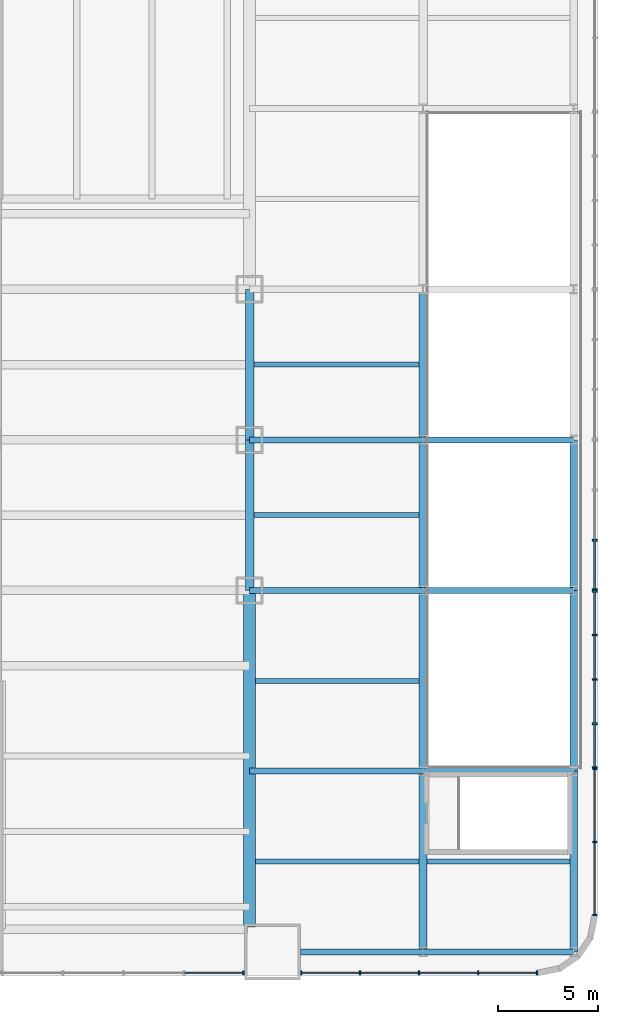
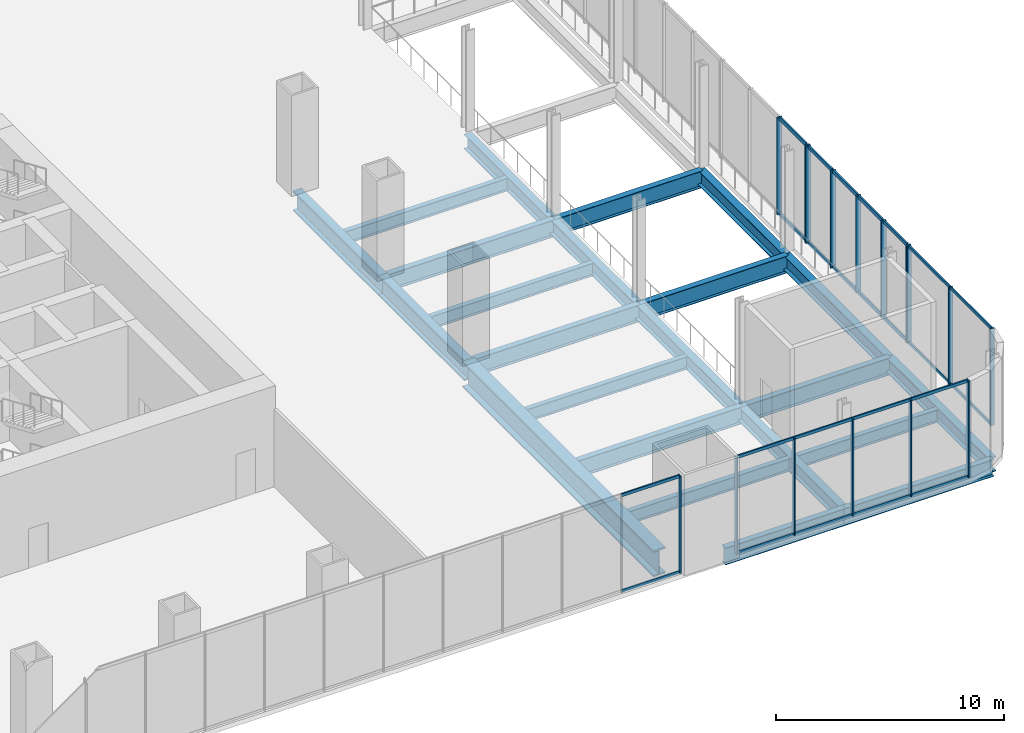
# One storey, part 9 of 17: 40 members, 23 beams, 5 elements without a shape of their own.
"""IFC4 building model written with IfcOpenShell, lengths in metres."""

from ifc_helpers import new_model, si_unit, direction, frame, origin, origin_2d, place, context, subcontext, project, spatial, rectangle, i_section, extrude, material, material_profile, profile_set, type_object, element, aggregate, save


model = new_model("IFC4")

# Units and contexts
model_context = context("Model", 3, precision=1e-05, world=origin(), true_north=direction((0.0, 1.0)))
body_context = subcontext(model_context, "Body", "Model", "MODEL_VIEW")
ifc_project = project(units=[si_unit("LENGTHUNIT", "METRE"), si_unit("AREAUNIT", "SQUARE_METRE"), si_unit("VOLUMEUNIT", "CUBIC_METRE"), si_unit("PLANEANGLEUNIT", "RADIAN"), si_unit("MASSUNIT", "GRAM", prefix="KILO")], contexts=[model_context])

# Site, building, storey
site_placement = place(None, origin())
site = spatial("IfcSite", under=ifc_project, at=site_placement, CompositionType="ELEMENT")
building_placement = place(site_placement, origin())
building = spatial("IfcBuilding", under=site, at=building_placement, Name="Tarangal Relay Tower", CompositionType="ELEMENT")
storey_placement = place(building_placement, frame((0.0, 0.0, 18.0)))
storey = spatial("IfcBuildingStorey", under=building, at=storey_placement, Name="L03", CompositionType="ELEMENT", Elevation=18.0)

# Beams
ifc_material_1 = material(Name="Steel ASTM A992", Category="steel")
ifc_material_profile_1 = material_profile(ifc_material_1, i_section(OverallWidth=0.42431640625, OverallDepth=1.09228515625, WebThickness=0.04541015625, FlangeThickness=0.08203125, at=origin_2d()), Name="W40X593")
ifc_profile_set_1 = profile_set([ifc_material_profile_1], Name="Steel ASTM A992")
beam_type_1 = type_object("IfcBeamType", Name="Edge girder W40X593", PredefinedType="SPANDREL", material=ifc_profile_set_1)
for number, where, z_axis, x_axis, name in (
    (1, (24.364990234375, 7.5, -0.796142578125), (0.0, -1.0, 0.0), (1.0, 0.0, 0.0), "Edge girder EG9 E L03"),
    (2, (24.364990234375, 0.0, -0.796142578125), (0.0, -1.0, 0.0), (1.0, 0.0, 0.0), "Edge girder EG9 E L03"),
):
    element("IfcBeam", number, at=place(storey_placement, frame(where, z_axis=z_axis, x_axis=x_axis)), inside=storey, type_object=beam_type_1, Name=name, PredefinedType="SPANDREL", context=body_context, shape_type="SweptSolid", body=[
        extrude(i_section(OverallWidth=0.42431640625, OverallDepth=1.09228515625, WebThickness=0.04541015625, FlangeThickness=0.08203125, at=origin_2d()), origin(), (0.0, 0.0, 1.0), 7.5),
    ])

# Curtain wall, member
ifc_material_2 = material(Name="Unitised curtain wall, dark glass and black aluminium", Category="aluminium")
curtain_wall_type_1 = type_object("IfcCurtainWallType", Name="Curtain wall CW-P", PredefinedType="USERDEFINED", material=ifc_material_2)
curtain_wall_1_placement = place(storey_placement, origin())
curtain_wall_1 = element("IfcCurtainWall", 3, at=curtain_wall_1_placement, inside=storey, type_object=curtain_wall_type_1, Name="Curtain wall CW-P Podium S facade L03", ObjectType="UNITISED CURTAIN WALL", PredefinedType="USERDEFINED")
ifc_material_3 = material(Name="Black anodised aluminium mullion", Category="aluminium")
ifc_material_profile_2 = material_profile(ifc_material_3, rectangle(XDim=0.199951171875, YDim=0.070068359375, at=origin_2d()), Name="CW-PM 70X200")
ifc_profile_set_2 = profile_set([ifc_material_profile_2], Name="Black anodised aluminium mullion")
member_type_1 = type_object("IfcMemberType", Name="Mullion CW-P 70 x 200", PredefinedType="MULLION", material=ifc_profile_set_2)
member_1_placement = place(storey_placement, frame((24.06494140625, -26.550048828125, 0.0), z_axis=(0.0, 0.0, 1.0), x_axis=(0.0, 1.0, 0.0)))
member_1 = element("IfcMember", 4, at=member_1_placement, type_object=member_type_1, Name="CW-P mullion 17", PredefinedType="MULLION", context=body_context, shape_type="SweptSolid", body=[
    extrude(rectangle(XDim=0.199951171875, YDim=0.070068359375, at=origin_2d()), origin(), (0.0, 0.0, 1.0), 5.199951171875),
])

# Curtain wall, members
curtain_wall_2_placement = place(storey_placement, origin())
curtain_wall_2 = element("IfcCurtainWall", 5, at=curtain_wall_2_placement, inside=storey, type_object=curtain_wall_type_1, Name="Curtain wall CW-P Podium S facade L03", ObjectType="UNITISED CURTAIN WALL", PredefinedType="USERDEFINED")
member_2_placement = place(storey_placement, frame((26.93505859375, -26.550048828125, 0.0), z_axis=(0.0, 0.0, 1.0), x_axis=(0.0, 1.0, 0.0)))
member_2 = element("IfcMember", 6, at=member_2_placement, type_object=member_type_1, Name="CW-P mullion 1", PredefinedType="MULLION", context=body_context, shape_type="SweptSolid", body=[
    extrude(rectangle(XDim=0.199951171875, YDim=0.070068359375, at=origin_2d()), origin(), (0.0, 0.0, 1.0), 5.199951171875),
])
member_3_placement = place(storey_placement, frame((29.85009765625, -26.550048828125, 0.0), z_axis=(0.0, 0.0, 1.0), x_axis=(0.0, 1.0, 0.0)))
member_3 = element("IfcMember", 7, at=member_3_placement, type_object=member_type_1, Name="CW-P mullion 2", PredefinedType="MULLION", context=body_context, shape_type="SweptSolid", body=[
    extrude(rectangle(XDim=0.199951171875, YDim=0.070068359375, at=origin_2d()), origin(), (0.0, 0.0, 1.0), 5.199951171875),
])
member_4_placement = place(storey_placement, frame((32.800048828125, -26.550048828125, 0.0), z_axis=(0.0, 0.0, 1.0), x_axis=(0.0, 1.0, 0.0)))
member_4 = element("IfcMember", 8, at=member_4_placement, type_object=member_type_1, Name="CW-P mullion 3", PredefinedType="MULLION", context=body_context, shape_type="SweptSolid", body=[
    extrude(rectangle(XDim=0.199951171875, YDim=0.070068359375, at=origin_2d()), origin(), (0.0, 0.0, 1.0), 5.199951171875),
])
member_5_placement = place(storey_placement, frame((35.75, -26.550048828125, 0.0), z_axis=(0.0, 0.0, 1.0), x_axis=(0.0, 1.0, 0.0)))
member_5 = element("IfcMember", 9, at=member_5_placement, type_object=member_type_1, Name="CW-P mullion 4", PredefinedType="MULLION", context=body_context, shape_type="SweptSolid", body=[
    extrude(rectangle(XDim=0.199951171875, YDim=0.070068359375, at=origin_2d()), origin(), (0.0, 0.0, 1.0), 5.199951171875),
])
member_6_placement = place(storey_placement, frame((38.6650390625, -26.550048828125, 0.0), z_axis=(0.0, 0.0, 1.0), x_axis=(0.0, 1.0, 0.0)))
member_6 = element("IfcMember", 10, at=member_6_placement, type_object=member_type_1, Name="CW-P mullion 5", PredefinedType="MULLION", context=body_context, shape_type="SweptSolid", body=[
    extrude(rectangle(XDim=0.199951171875, YDim=0.070068359375, at=origin_2d()), origin(), (0.0, 0.0, 1.0), 5.199951171875),
])

curtain_wall_3_placement = place(storey_placement, origin())
curtain_wall_3 = element("IfcCurtainWall", 11, at=curtain_wall_3_placement, inside=storey, type_object=curtain_wall_type_1, Name="Curtain wall CW-P Podium E facade L03", ObjectType="UNITISED CURTAIN WALL", PredefinedType="USERDEFINED")
member_7_placement = place(storey_placement, frame((41.550048828125, -23.6650390625, 0.0), z_axis=(0.0, 0.0, 1.0), x_axis=(-1.0, 0.0, 0.0)))
member_7 = element("IfcMember", 12, at=member_7_placement, type_object=member_type_1, Name="CW-P mullion 1", PredefinedType="MULLION", context=body_context, shape_type="SweptSolid", body=[
    extrude(rectangle(XDim=0.199951171875, YDim=0.070068359375, at=origin_2d()), origin(), (0.0, 0.0, 1.0), 5.199951171875),
])
member_8_placement = place(storey_placement, frame((41.550048828125, -20.02490234375, 0.0), z_axis=(0.0, 0.0, 1.0), x_axis=(-1.0, 0.0, 0.0)))
member_8 = element("IfcMember", 13, at=member_8_placement, type_object=member_type_1, Name="CW-P mullion 2", PredefinedType="MULLION", context=body_context, shape_type="SweptSolid", body=[
    extrude(rectangle(XDim=0.199951171875, YDim=0.070068359375, at=origin_2d()), origin(), (0.0, 0.0, 1.0), 5.199951171875),
])
member_9_placement = place(storey_placement, frame((41.550048828125, -16.385009765625, 0.0), z_axis=(0.0, 0.0, 1.0), x_axis=(-1.0, 0.0, 0.0)))
member_9 = element("IfcMember", 14, at=member_9_placement, type_object=member_type_1, Name="CW-P mullion 3", PredefinedType="MULLION", context=body_context, shape_type="SweptSolid", body=[
    extrude(rectangle(XDim=0.199951171875, YDim=0.070068359375, at=origin_2d()), origin(), (0.0, 0.0, 1.0), 5.199951171875),
])

curtain_wall_type_2 = type_object("IfcCurtainWallType", Name="Curtain wall CW-T", PredefinedType="USERDEFINED", material=ifc_material_2)
curtain_wall_4_placement = place(storey_placement, origin())
curtain_wall_4 = element("IfcCurtainWall", 15, at=curtain_wall_4_placement, inside=storey, type_object=curtain_wall_type_2, Name="Curtain wall CW-T Podium E facade L03", ObjectType="UNITISED CURTAIN WALL", PredefinedType="USERDEFINED")
ifc_material_profile_3 = material_profile(ifc_material_3, rectangle(XDim=0.25, YDim=0.080078125, at=origin_2d()), Name="CW-TM 80X250")
ifc_profile_set_3 = profile_set([ifc_material_profile_3], Name="Black anodised aluminium mullion")
member_type_2 = type_object("IfcMemberType", Name="Mullion CW-T 80 x 250", PredefinedType="MULLION", material=ifc_profile_set_3)
member_10_placement = place(storey_placement, frame((41.550048828125, -16.31005859375, 0.0), z_axis=(0.0, 0.0, 1.0), x_axis=(-1.0, 0.0, 0.0)))
member_10 = element("IfcMember", 16, at=member_10_placement, type_object=member_type_2, Name="CW-T mullion 1", PredefinedType="MULLION", context=body_context, shape_type="SweptSolid", body=[
    extrude(rectangle(XDim=0.25, YDim=0.080078125, at=origin_2d()), origin(), (0.0, 0.0, 1.0), 5.199951171875),
])
member_11_placement = place(storey_placement, frame((41.550048828125, -14.137451171875, 0.0), z_axis=(0.0, 0.0, 1.0), x_axis=(-1.0, 0.0, 0.0)))
member_11 = element("IfcMember", 17, at=member_11_placement, type_object=member_type_2, Name="CW-T mullion 2", PredefinedType="MULLION", context=body_context, shape_type="SweptSolid", body=[
    extrude(rectangle(XDim=0.25, YDim=0.080078125, at=origin_2d()), origin(), (0.0, 0.0, 1.0), 5.199951171875),
])
member_12_placement = place(storey_placement, frame((41.550048828125, -11.925048828125, 0.0), z_axis=(0.0, 0.0, 1.0), x_axis=(-1.0, 0.0, 0.0)))
member_12 = element("IfcMember", 18, at=member_12_placement, type_object=member_type_2, Name="CW-T mullion 3", PredefinedType="MULLION", context=body_context, shape_type="SweptSolid", body=[
    extrude(rectangle(XDim=0.25, YDim=0.080078125, at=origin_2d()), origin(), (0.0, 0.0, 1.0), 5.199951171875),
])
member_13_placement = place(storey_placement, frame((41.550048828125, -9.71240234375, 0.0), z_axis=(0.0, 0.0, 1.0), x_axis=(-1.0, 0.0, 0.0)))
member_13 = element("IfcMember", 19, at=member_13_placement, type_object=member_type_2, Name="CW-T mullion 4", PredefinedType="MULLION", context=body_context, shape_type="SweptSolid", body=[
    extrude(rectangle(XDim=0.25, YDim=0.080078125, at=origin_2d()), origin(), (0.0, 0.0, 1.0), 5.199951171875),
])
member_14_placement = place(storey_placement, frame((41.550048828125, -7.5400390625, 0.0), z_axis=(0.0, 0.0, 1.0), x_axis=(-1.0, 0.0, 0.0)))
member_14 = element("IfcMember", 20, at=member_14_placement, type_object=member_type_2, Name="CW-T mullion 5", PredefinedType="MULLION", context=body_context, shape_type="SweptSolid", body=[
    extrude(rectangle(XDim=0.25, YDim=0.080078125, at=origin_2d()), origin(), (0.0, 0.0, 1.0), 5.199951171875),
])

curtain_wall_5_placement = place(storey_placement, origin())
curtain_wall_5 = element("IfcCurtainWall", 21, at=curtain_wall_5_placement, inside=storey, type_object=curtain_wall_type_2, Name="Curtain wall CW-T Podium E facade L03", ObjectType="UNITISED CURTAIN WALL", PredefinedType="USERDEFINED")
member_15_placement = place(storey_placement, frame((41.550048828125, -7.4599609375, 0.0), z_axis=(0.0, 0.0, 1.0), x_axis=(-1.0, 0.0, 0.0)))
member_15 = element("IfcMember", 22, at=member_15_placement, type_object=member_type_2, Name="CW-T mullion 1", PredefinedType="MULLION", context=body_context, shape_type="SweptSolid", body=[
    extrude(rectangle(XDim=0.25, YDim=0.080078125, at=origin_2d()), origin(), (0.0, 0.0, 1.0), 5.199951171875),
])
member_16_placement = place(storey_placement, frame((41.550048828125, -5.0, 0.0), z_axis=(0.0, 0.0, 1.0), x_axis=(-1.0, 0.0, 0.0)))
member_16 = element("IfcMember", 23, at=member_16_placement, type_object=member_type_2, Name="CW-T mullion 2", PredefinedType="MULLION", context=body_context, shape_type="SweptSolid", body=[
    extrude(rectangle(XDim=0.25, YDim=0.080078125, at=origin_2d()), origin(), (0.0, 0.0, 1.0), 5.199951171875),
])

# Beams
ifc_material_profile_4 = material_profile(ifc_material_1, i_section(OverallWidth=0.3046875, OverallDepth=0.911865234375, WebThickness=0.015869140625, FlangeThickness=0.02392578125, at=origin_2d()), Name="W36X150")
ifc_profile_set_4 = profile_set([ifc_material_profile_4], Name="Steel ASTM A992")
beam_type_2 = type_object("IfcBeamType", Name="Podium beam W36X150", PredefinedType="BEAM", material=ifc_profile_set_4)
beam_1_placement = place(storey_placement, frame((26.89990234375, -25.5, -0.7060546875), z_axis=(1.0, 0.0, 0.0), x_axis=(0.0, 1.0, 0.0)))
element("IfcBeam", 24, at=beam_1_placement, inside=storey, type_object=beam_type_2, Name="Podium beam PB1 L03", PredefinedType="BEAM", context=body_context, shape_type="SweptSolid", body=[
    extrude(i_section(OverallWidth=0.3046875, OverallDepth=0.911865234375, WebThickness=0.015869140625, FlangeThickness=0.02392578125, at=origin_2d()), origin(), (0.0, 0.0, 1.0), 6.10009765625),
])
beam_2_placement = place(storey_placement, frame((33.0, -25.5, -0.7060546875), z_axis=(1.0, 0.0, 0.0), x_axis=(0.0, 1.0, 0.0)))
element("IfcBeam", 25, at=beam_2_placement, inside=storey, type_object=beam_type_2, Name="Podium beam PB1 L03", PredefinedType="BEAM", context=body_context, shape_type="SweptSolid", body=[
    extrude(i_section(OverallWidth=0.3046875, OverallDepth=0.911865234375, WebThickness=0.015869140625, FlangeThickness=0.02392578125, at=origin_2d()), origin(), (0.0, 0.0, 1.0), 7.5),
])
beam_3_placement = place(storey_placement, frame((24.364990234375, -16.5, -0.7060546875), z_axis=(1.0, 0.0, 0.0), x_axis=(0.0, 1.0, 0.0)))
element("IfcBeam", 26, at=beam_3_placement, inside=storey, type_object=beam_type_2, Name="Podium beam PB1 L03", PredefinedType="BEAM", context=body_context, shape_type="SweptSolid", body=[
    extrude(i_section(OverallWidth=0.3046875, OverallDepth=0.911865234375, WebThickness=0.015869140625, FlangeThickness=0.02392578125, at=origin_2d()), origin(), (0.0, 0.0, 1.0), 8.635009765625),
])
beam_4_placement = place(storey_placement, frame((33.0, -16.5, -0.7060546875), z_axis=(1.0, 0.0, 0.0), x_axis=(0.0, 1.0, 0.0)))
element("IfcBeam", 27, at=beam_4_placement, inside=storey, type_object=beam_type_2, Name="Podium beam PB1 L03", PredefinedType="BEAM", context=body_context, shape_type="SweptSolid", body=[
    extrude(i_section(OverallWidth=0.3046875, OverallDepth=0.911865234375, WebThickness=0.015869140625, FlangeThickness=0.02392578125, at=origin_2d()), origin(), (0.0, 0.0, 1.0), 7.5),
])
beam_5_placement = place(storey_placement, frame((24.364990234375, -7.5, -0.7060546875), z_axis=(1.0, 0.0, 0.0), x_axis=(0.0, 1.0, 0.0)))
element("IfcBeam", 28, at=beam_5_placement, inside=storey, type_object=beam_type_2, Name="Podium beam PB1 L03", PredefinedType="BEAM", context=body_context, shape_type="SweptSolid", body=[
    extrude(i_section(OverallWidth=0.3046875, OverallDepth=0.911865234375, WebThickness=0.015869140625, FlangeThickness=0.02392578125, at=origin_2d()), origin(), (0.0, 0.0, 1.0), 8.635009765625),
])
beam_6_placement = place(storey_placement, frame((33.0, -7.5, -0.7060546875), z_axis=(1.0, 0.0, 0.0), x_axis=(0.0, 1.0, 0.0)))
element("IfcBeam", 29, at=beam_6_placement, inside=storey, type_object=beam_type_2, Name="Podium beam PB1 L03", PredefinedType="BEAM", context=body_context, shape_type="SweptSolid", body=[
    extrude(i_section(OverallWidth=0.3046875, OverallDepth=0.911865234375, WebThickness=0.015869140625, FlangeThickness=0.02392578125, at=origin_2d()), origin(), (0.0, 0.0, 1.0), 7.5),
])
beam_7_placement = place(storey_placement, frame((24.364990234375, 0.0, -0.7060546875), z_axis=(1.0, 0.0, 0.0), x_axis=(0.0, 1.0, 0.0)))
element("IfcBeam", 30, at=beam_7_placement, inside=storey, type_object=beam_type_2, Name="Podium beam PB1 L03", PredefinedType="BEAM", context=body_context, shape_type="SweptSolid", body=[
    extrude(i_section(OverallWidth=0.3046875, OverallDepth=0.911865234375, WebThickness=0.015869140625, FlangeThickness=0.02392578125, at=origin_2d()), origin(), (0.0, 0.0, 1.0), 8.635009765625),
])
beam_8_placement = place(storey_placement, frame((33.0, 0.0, -0.7060546875), z_axis=(1.0, 0.0, 0.0), x_axis=(0.0, 1.0, 0.0)))
element("IfcBeam", 31, at=beam_8_placement, inside=storey, type_object=beam_type_2, Name="Podium beam PB1 L03", PredefinedType="BEAM", context=body_context, shape_type="SweptSolid", body=[
    extrude(i_section(OverallWidth=0.3046875, OverallDepth=0.911865234375, WebThickness=0.015869140625, FlangeThickness=0.02392578125, at=origin_2d()), origin(), (0.0, 0.0, 1.0), 7.5),
])
ifc_material_profile_5 = material_profile(ifc_material_1, i_section(OverallWidth=0.383544921875, OverallDepth=0.784912109375, WebThickness=0.019775390625, FlangeThickness=0.033447265625, at=origin_2d()), Name="W30X211")
ifc_profile_set_5 = profile_set([ifc_material_profile_5], Name="Steel ASTM A992")
beam_type_3 = type_object("IfcBeamType", Name="Podium girder W30X211", PredefinedType="BEAM", material=ifc_profile_set_5)
for number, where, z_axis, x_axis, name in (
    (32, (33.0, -25.5, -0.642578125), (0.0, 1.0, 0.0), (-1.0, 0.0, 0.0), "Podium girder PG1 L03"),
    (33, (33.0, -16.5, -0.642578125), (0.0, 1.0, 0.0), (-1.0, 0.0, 0.0), "Podium girder PG1 L03"),
):
    element("IfcBeam", number, at=place(storey_placement, frame(where, z_axis=z_axis, x_axis=x_axis)), inside=storey, type_object=beam_type_3, Name=name, PredefinedType="BEAM", context=body_context, shape_type="SweptSolid", body=[
        extrude(i_section(OverallWidth=0.383544921875, OverallDepth=0.784912109375, WebThickness=0.019775390625, FlangeThickness=0.033447265625, at=origin_2d()), origin(), (0.0, 0.0, 1.0), 9.0),
    ])
for number, where, z_axis, x_axis, name in (
    (34, (33.0, -7.5, -0.642578125), (0.0, 1.0, 0.0), (-1.0, 0.0, 0.0), "Podium girder PG1 L03"),
    (35, (33.0, 0.0, -0.642578125), (0.0, 1.0, 0.0), (-1.0, 0.0, 0.0), "Podium girder PG1 L03"),
):
    element("IfcBeam", number, at=place(storey_placement, frame(where, z_axis=z_axis, x_axis=x_axis)), inside=storey, type_object=beam_type_3, Name=name, PredefinedType="BEAM", context=body_context, shape_type="SweptSolid", body=[
        extrude(i_section(OverallWidth=0.383544921875, OverallDepth=0.784912109375, WebThickness=0.019775390625, FlangeThickness=0.033447265625, at=origin_2d()), origin(), (0.0, 0.0, 1.0), 7.5),
    ])
for number, where, z_axis, x_axis, name in (
    (36, (40.5, -25.5, -0.642578125), (0.0, 1.0, 0.0), (-1.0, 0.0, 0.0), "Podium girder PG1 L03"),
    (37, (40.5, -16.5, -0.642578125), (0.0, 1.0, 0.0), (-1.0, 0.0, 0.0), "Podium girder PG1 L03"),
):
    element("IfcBeam", number, at=place(storey_placement, frame(where, z_axis=z_axis, x_axis=x_axis)), inside=storey, type_object=beam_type_3, Name=name, PredefinedType="BEAM", context=body_context, shape_type="SweptSolid", body=[
        extrude(i_section(OverallWidth=0.383544921875, OverallDepth=0.784912109375, WebThickness=0.019775390625, FlangeThickness=0.033447265625, at=origin_2d()), origin(), (0.0, 0.0, 1.0), 9.0),
    ])
beam_9_placement = place(storey_placement, frame((40.5, -7.5, -0.642578125), z_axis=(0.0, 1.0, 0.0), x_axis=(-1.0, 0.0, 0.0)))
element("IfcBeam", 38, at=beam_9_placement, inside=storey, type_object=beam_type_3, Name="Podium girder PG1 L03", PredefinedType="BEAM", context=body_context, shape_type="SweptSolid", body=[
    extrude(i_section(OverallWidth=0.383544921875, OverallDepth=0.784912109375, WebThickness=0.019775390625, FlangeThickness=0.033447265625, at=origin_2d()), origin(), (0.0, 0.0, 1.0), 7.5),
])
ifc_material_profile_6 = material_profile(ifc_material_1, i_section(OverallWidth=0.25390625, OverallDepth=0.683349609375, WebThickness=0.012451171875, FlangeThickness=0.018798828125, at=origin_2d()), Name="W27X94")
ifc_profile_set_6 = profile_set([ifc_material_profile_6], Name="Steel ASTM A992")
beam_type_4 = type_object("IfcBeamType", Name="Podium joist W27X94", PredefinedType="JOIST", material=ifc_profile_set_6)
beam_10_placement = place(storey_placement, frame((24.6650390625, -21.0, -0.591796875), z_axis=(1.0, 0.0, 0.0), x_axis=(0.0, 1.0, 0.0)))
element("IfcBeam", 39, at=beam_10_placement, inside=storey, type_object=beam_type_4, Name="Podium joist PJ1 L03", PredefinedType="JOIST", context=body_context, shape_type="SweptSolid", body=[
    extrude(i_section(OverallWidth=0.25390625, OverallDepth=0.683349609375, WebThickness=0.012451171875, FlangeThickness=0.018798828125, at=origin_2d()), origin(), (0.0, 0.0, 1.0), 8.14404296875),
])
beam_11_placement = place(storey_placement, frame((33.19091796875, -21.0, -0.591796875), z_axis=(1.0, 0.0, 0.0), x_axis=(0.0, 1.0, 0.0)))
element("IfcBeam", 40, at=beam_11_placement, inside=storey, type_object=beam_type_4, Name="Podium joist PJ1 L03", PredefinedType="JOIST", context=body_context, shape_type="SweptSolid", body=[
    extrude(i_section(OverallWidth=0.25390625, OverallDepth=0.683349609375, WebThickness=0.012451171875, FlangeThickness=0.018798828125, at=origin_2d()), origin(), (0.0, 0.0, 1.0), 7.1181640625),
])
beam_12_placement = place(storey_placement, frame((24.6650390625, -12.0, -0.591796875), z_axis=(1.0, 0.0, 0.0), x_axis=(0.0, 1.0, 0.0)))
element("IfcBeam", 41, at=beam_12_placement, inside=storey, type_object=beam_type_4, Name="Podium joist PJ1 L03", PredefinedType="JOIST", context=body_context, shape_type="SweptSolid", body=[
    extrude(i_section(OverallWidth=0.25390625, OverallDepth=0.683349609375, WebThickness=0.012451171875, FlangeThickness=0.018798828125, at=origin_2d()), origin(), (0.0, 0.0, 1.0), 8.14404296875),
])
for number, where, z_axis, x_axis, name in (
    (42, (24.576904296875, -3.75, -0.591796875), (1.0, 0.0, 0.0), (0.0, 1.0, 0.0), "Podium joist PJ1 L03"),
    (43, (24.576904296875, 3.75, -0.591796875), (1.0, 0.0, 0.0), (0.0, 1.0, 0.0), "Podium joist PJ1 L03"),
):
    element("IfcBeam", number, at=place(storey_placement, frame(where, z_axis=z_axis, x_axis=x_axis)), inside=storey, type_object=beam_type_4, Name=name, PredefinedType="JOIST", context=body_context, shape_type="SweptSolid", body=[
        extrude(i_section(OverallWidth=0.25390625, OverallDepth=0.683349609375, WebThickness=0.012451171875, FlangeThickness=0.018798828125, at=origin_2d()), origin(), (0.0, 0.0, 1.0), 8.232177734375),
    ])
ifc_material_4 = material(Name="Steel ASTM A572 Grade 50", Category="steel")
ifc_material_profile_7 = material_profile(ifc_material_4, i_section(OverallWidth=0.60009765625, OverallDepth=1.39990234375, WebThickness=0.030029296875, FlangeThickness=0.080078125, at=origin_2d()), Name="PG1400X600X80X30")
ifc_profile_set_7 = profile_set([ifc_material_profile_7], Name="Steel ASTM A572 Grade 50")
beam_type_5 = type_object("IfcBeamType", Name="Transfer girder PG1400X600X80X30", PredefinedType="SPANDREL", material=ifc_profile_set_7)
beam_13_placement = place(storey_placement, frame((24.364990234375, -7.5, -0.949951171875), z_axis=(0.0, -1.0, 0.0), x_axis=(1.0, 0.0, 0.0)))
element("IfcBeam", 44, at=beam_13_placement, inside=storey, type_object=beam_type_5, Name="Transfer girder TG1 E L03", PredefinedType="SPANDREL", context=body_context, shape_type="SweptSolid", body=[
    extrude(i_section(OverallWidth=0.60009765625, OverallDepth=1.39990234375, WebThickness=0.030029296875, FlangeThickness=0.080078125, at=origin_2d()), origin(), (0.0, 0.0, 1.0), 16.75),
])

# Member
ifc_material_5 = material(Name="Black anodised aluminium transom", Category="aluminium")
ifc_material_profile_8 = material_profile(ifc_material_5, rectangle(XDim=0.070068359375, YDim=0.159912109375, at=origin_2d()), Name="CW-PT 70X160")
ifc_profile_set_8 = profile_set([ifc_material_profile_8], Name="Black anodised aluminium transom")
member_type_3 = type_object("IfcMemberType", Name="Transom CW-P 70 x 160", PredefinedType="USERDEFINED", material=ifc_profile_set_8)
member_17_placement = place(storey_placement, frame((21.12255859375, -26.550048828125, 0.034912109375), z_axis=(1.0, 0.0, 0.0), x_axis=(0.0, 1.0, 0.0)))
member_17 = element("IfcMember", 45, at=member_17_placement, type_object=member_type_3, Name="CW-P transom 16.1", ObjectType="TRANSOM", PredefinedType="USERDEFINED", context=body_context, shape_type="SweptSolid", body=[
    extrude(rectangle(XDim=0.070068359375, YDim=0.159912109375, at=origin_2d()), origin(), (0.0, 0.0, 1.0), 2.907470703125),
])

member_18_placement = place(storey_placement, frame((21.12255859375, -26.550048828125, 5.1650390625), z_axis=(1.0, 0.0, 0.0), x_axis=(0.0, 1.0, 0.0)))
member_18 = element("IfcMember", 46, at=member_18_placement, type_object=member_type_3, Name="CW-P transom 16.2", ObjectType="TRANSOM", PredefinedType="USERDEFINED", context=body_context, shape_type="SweptSolid", body=[
    extrude(rectangle(XDim=0.070068359375, YDim=0.159912109375, at=origin_2d()), origin(), (0.0, 0.0, 1.0), 2.907470703125),
])

aggregate(curtain_wall_1, [member_1, member_17, member_18])

member_19_placement = place(storey_placement, frame((26.969970703125, -26.550048828125, 0.034912109375), z_axis=(1.0, 0.0, 0.0), x_axis=(0.0, 1.0, 0.0)))
member_19 = element("IfcMember", 47, at=member_19_placement, type_object=member_type_3, Name="CW-P transom 1.1", ObjectType="TRANSOM", PredefinedType="USERDEFINED", context=body_context, shape_type="SweptSolid", body=[
    extrude(rectangle(XDim=0.070068359375, YDim=0.159912109375, at=origin_2d()), origin(), (0.0, 0.0, 1.0), 2.844970703125),
])

member_20_placement = place(storey_placement, frame((26.969970703125, -26.550048828125, 5.1650390625), z_axis=(1.0, 0.0, 0.0), x_axis=(0.0, 1.0, 0.0)))
member_20 = element("IfcMember", 48, at=member_20_placement, type_object=member_type_3, Name="CW-P transom 1.2", ObjectType="TRANSOM", PredefinedType="USERDEFINED", context=body_context, shape_type="SweptSolid", body=[
    extrude(rectangle(XDim=0.070068359375, YDim=0.159912109375, at=origin_2d()), origin(), (0.0, 0.0, 1.0), 2.844970703125),
])

member_21_placement = place(storey_placement, frame((29.885009765625, -26.550048828125, 0.034912109375), z_axis=(1.0, 0.0, 0.0), x_axis=(0.0, 1.0, 0.0)))
member_21 = element("IfcMember", 49, at=member_21_placement, type_object=member_type_3, Name="CW-P transom 2.1", ObjectType="TRANSOM", PredefinedType="USERDEFINED", context=body_context, shape_type="SweptSolid", body=[
    extrude(rectangle(XDim=0.070068359375, YDim=0.159912109375, at=origin_2d()), origin(), (0.0, 0.0, 1.0), 2.8798828125),
])

member_22_placement = place(storey_placement, frame((29.885009765625, -26.550048828125, 5.1650390625), z_axis=(1.0, 0.0, 0.0), x_axis=(0.0, 1.0, 0.0)))
member_22 = element("IfcMember", 50, at=member_22_placement, type_object=member_type_3, Name="CW-P transom 2.2", ObjectType="TRANSOM", PredefinedType="USERDEFINED", context=body_context, shape_type="SweptSolid", body=[
    extrude(rectangle(XDim=0.070068359375, YDim=0.159912109375, at=origin_2d()), origin(), (0.0, 0.0, 1.0), 2.8798828125),
])

member_23_placement = place(storey_placement, frame((32.8349609375, -26.550048828125, 0.034912109375), z_axis=(1.0, 0.0, 0.0), x_axis=(0.0, 1.0, 0.0)))
member_23 = element("IfcMember", 51, at=member_23_placement, type_object=member_type_3, Name="CW-P transom 3.1", ObjectType="TRANSOM", PredefinedType="USERDEFINED", context=body_context, shape_type="SweptSolid", body=[
    extrude(rectangle(XDim=0.070068359375, YDim=0.159912109375, at=origin_2d()), origin(), (0.0, 0.0, 1.0), 2.880126953125),
])

member_24_placement = place(storey_placement, frame((32.8349609375, -26.550048828125, 5.1650390625), z_axis=(1.0, 0.0, 0.0), x_axis=(0.0, 1.0, 0.0)))
member_24 = element("IfcMember", 52, at=member_24_placement, type_object=member_type_3, Name="CW-P transom 3.2", ObjectType="TRANSOM", PredefinedType="USERDEFINED", context=body_context, shape_type="SweptSolid", body=[
    extrude(rectangle(XDim=0.070068359375, YDim=0.159912109375, at=origin_2d()), origin(), (0.0, 0.0, 1.0), 2.880126953125),
])

member_25_placement = place(storey_placement, frame((35.784912109375, -26.550048828125, 0.034912109375), z_axis=(1.0, 0.0, 0.0), x_axis=(0.0, 1.0, 0.0)))
member_25 = element("IfcMember", 53, at=member_25_placement, type_object=member_type_3, Name="CW-P transom 4.1", ObjectType="TRANSOM", PredefinedType="USERDEFINED", context=body_context, shape_type="SweptSolid", body=[
    extrude(rectangle(XDim=0.070068359375, YDim=0.159912109375, at=origin_2d()), origin(), (0.0, 0.0, 1.0), 2.844970703125),
])

member_26_placement = place(storey_placement, frame((35.784912109375, -26.550048828125, 5.1650390625), z_axis=(1.0, 0.0, 0.0), x_axis=(0.0, 1.0, 0.0)))
member_26 = element("IfcMember", 54, at=member_26_placement, type_object=member_type_3, Name="CW-P transom 4.2", ObjectType="TRANSOM", PredefinedType="USERDEFINED", context=body_context, shape_type="SweptSolid", body=[
    extrude(rectangle(XDim=0.070068359375, YDim=0.159912109375, at=origin_2d()), origin(), (0.0, 0.0, 1.0), 2.844970703125),
])

aggregate(curtain_wall_2, [member_2, member_3, member_4, member_5, member_6, member_19, member_20, member_21, member_22, member_23, member_24, member_25, member_26])

member_27_placement = place(storey_placement, frame((41.550048828125, -23.6298828125, 0.034912109375), z_axis=(0.0, 1.0, 0.0), x_axis=(-1.0, 0.0, 0.0)))
member_27 = element("IfcMember", 55, at=member_27_placement, type_object=member_type_3, Name="CW-P transom 1.1", ObjectType="TRANSOM", PredefinedType="USERDEFINED", context=body_context, shape_type="SweptSolid", body=[
    extrude(rectangle(XDim=0.070068359375, YDim=0.159912109375, at=origin_2d()), origin(), (0.0, 0.0, 1.0), 3.56982421875),
])

member_28_placement = place(storey_placement, frame((41.550048828125, -23.6298828125, 5.1650390625), z_axis=(0.0, 1.0, 0.0), x_axis=(-1.0, 0.0, 0.0)))
member_28 = element("IfcMember", 56, at=member_28_placement, type_object=member_type_3, Name="CW-P transom 1.2", ObjectType="TRANSOM", PredefinedType="USERDEFINED", context=body_context, shape_type="SweptSolid", body=[
    extrude(rectangle(XDim=0.070068359375, YDim=0.159912109375, at=origin_2d()), origin(), (0.0, 0.0, 1.0), 3.56982421875),
])

member_29_placement = place(storey_placement, frame((41.550048828125, -19.989990234375, 0.034912109375), z_axis=(0.0, 1.0, 0.0), x_axis=(-1.0, 0.0, 0.0)))
member_29 = element("IfcMember", 57, at=member_29_placement, type_object=member_type_3, Name="CW-P transom 2.1", ObjectType="TRANSOM", PredefinedType="USERDEFINED", context=body_context, shape_type="SweptSolid", body=[
    extrude(rectangle(XDim=0.070068359375, YDim=0.159912109375, at=origin_2d()), origin(), (0.0, 0.0, 1.0), 3.570068359375),
])

member_30_placement = place(storey_placement, frame((41.550048828125, -19.989990234375, 5.1650390625), z_axis=(0.0, 1.0, 0.0), x_axis=(-1.0, 0.0, 0.0)))
member_30 = element("IfcMember", 58, at=member_30_placement, type_object=member_type_3, Name="CW-P transom 2.2", ObjectType="TRANSOM", PredefinedType="USERDEFINED", context=body_context, shape_type="SweptSolid", body=[
    extrude(rectangle(XDim=0.070068359375, YDim=0.159912109375, at=origin_2d()), origin(), (0.0, 0.0, 1.0), 3.570068359375),
])

aggregate(curtain_wall_3, [member_7, member_8, member_9, member_27, member_28, member_29, member_30])

ifc_material_profile_9 = material_profile(ifc_material_5, rectangle(XDim=0.080078125, YDim=0.199951171875, at=origin_2d()), Name="CW-TT 80X200")
ifc_profile_set_9 = profile_set([ifc_material_profile_9], Name="Black anodised aluminium transom")
member_type_4 = type_object("IfcMemberType", Name="Transom CW-T 80 x 200", PredefinedType="USERDEFINED", material=ifc_profile_set_9)
member_31_placement = place(storey_placement, frame((41.550048828125, -16.27001953125, 0.0400390625), z_axis=(0.0, 1.0, 0.0), x_axis=(-1.0, 0.0, 0.0)))
member_31 = element("IfcMember", 59, at=member_31_placement, type_object=member_type_4, Name="CW-T transom 1.1", ObjectType="TRANSOM", PredefinedType="USERDEFINED", context=body_context, shape_type="SweptSolid", body=[
    extrude(rectangle(XDim=0.080078125, YDim=0.199951171875, at=origin_2d()), origin(), (0.0, 0.0, 1.0), 2.092529296875),
])

member_32_placement = place(storey_placement, frame((41.550048828125, -16.27001953125, 5.159912109375), z_axis=(0.0, 1.0, 0.0), x_axis=(-1.0, 0.0, 0.0)))
member_32 = element("IfcMember", 60, at=member_32_placement, type_object=member_type_4, Name="CW-T transom 1.2", ObjectType="TRANSOM", PredefinedType="USERDEFINED", context=body_context, shape_type="SweptSolid", body=[
    extrude(rectangle(XDim=0.080078125, YDim=0.199951171875, at=origin_2d()), origin(), (0.0, 0.0, 1.0), 2.092529296875),
])

member_33_placement = place(storey_placement, frame((41.550048828125, -14.097412109375, 0.0400390625), z_axis=(0.0, 1.0, 0.0), x_axis=(-1.0, 0.0, 0.0)))
member_33 = element("IfcMember", 61, at=member_33_placement, type_object=member_type_4, Name="CW-T transom 2.1", ObjectType="TRANSOM", PredefinedType="USERDEFINED", context=body_context, shape_type="SweptSolid", body=[
    extrude(rectangle(XDim=0.080078125, YDim=0.199951171875, at=origin_2d()), origin(), (0.0, 0.0, 1.0), 2.13232421875),
])

member_34_placement = place(storey_placement, frame((41.550048828125, -14.097412109375, 5.159912109375), z_axis=(0.0, 1.0, 0.0), x_axis=(-1.0, 0.0, 0.0)))
member_34 = element("IfcMember", 62, at=member_34_placement, type_object=member_type_4, Name="CW-T transom 2.2", ObjectType="TRANSOM", PredefinedType="USERDEFINED", context=body_context, shape_type="SweptSolid", body=[
    extrude(rectangle(XDim=0.080078125, YDim=0.199951171875, at=origin_2d()), origin(), (0.0, 0.0, 1.0), 2.13232421875),
])

member_35_placement = place(storey_placement, frame((41.550048828125, -11.885009765625, 0.0400390625), z_axis=(0.0, 1.0, 0.0), x_axis=(-1.0, 0.0, 0.0)))
member_35 = element("IfcMember", 63, at=member_35_placement, type_object=member_type_4, Name="CW-T transom 3.1", ObjectType="TRANSOM", PredefinedType="USERDEFINED", context=body_context, shape_type="SweptSolid", body=[
    extrude(rectangle(XDim=0.080078125, YDim=0.199951171875, at=origin_2d()), origin(), (0.0, 0.0, 1.0), 2.132568359375),
])

member_36_placement = place(storey_placement, frame((41.550048828125, -11.885009765625, 5.159912109375), z_axis=(0.0, 1.0, 0.0), x_axis=(-1.0, 0.0, 0.0)))
member_36 = element("IfcMember", 64, at=member_36_placement, type_object=member_type_4, Name="CW-T transom 3.2", ObjectType="TRANSOM", PredefinedType="USERDEFINED", context=body_context, shape_type="SweptSolid", body=[
    extrude(rectangle(XDim=0.080078125, YDim=0.199951171875, at=origin_2d()), origin(), (0.0, 0.0, 1.0), 2.132568359375),
])

member_37_placement = place(storey_placement, frame((41.550048828125, -9.672607421875, 0.0400390625), z_axis=(0.0, 1.0, 0.0), x_axis=(-1.0, 0.0, 0.0)))
member_37 = element("IfcMember", 65, at=member_37_placement, type_object=member_type_4, Name="CW-T transom 4.1", ObjectType="TRANSOM", PredefinedType="USERDEFINED", context=body_context, shape_type="SweptSolid", body=[
    extrude(rectangle(XDim=0.080078125, YDim=0.199951171875, at=origin_2d()), origin(), (0.0, 0.0, 1.0), 2.092529296875),
])

member_38_placement = place(storey_placement, frame((41.550048828125, -9.672607421875, 5.159912109375), z_axis=(0.0, 1.0, 0.0), x_axis=(-1.0, 0.0, 0.0)))
member_38 = element("IfcMember", 66, at=member_38_placement, type_object=member_type_4, Name="CW-T transom 4.2", ObjectType="TRANSOM", PredefinedType="USERDEFINED", context=body_context, shape_type="SweptSolid", body=[
    extrude(rectangle(XDim=0.080078125, YDim=0.199951171875, at=origin_2d()), origin(), (0.0, 0.0, 1.0), 2.092529296875),
])

aggregate(curtain_wall_4, [member_10, member_11, member_12, member_13, member_14, member_31, member_32, member_33, member_34, member_35, member_36, member_37, member_38])

member_39_placement = place(storey_placement, frame((41.550048828125, -7.419921875, 0.0400390625), z_axis=(0.0, 1.0, 0.0), x_axis=(-1.0, 0.0, 0.0)))
member_39 = element("IfcMember", 67, at=member_39_placement, type_object=member_type_4, Name="CW-T transom 1.1", ObjectType="TRANSOM", PredefinedType="USERDEFINED", context=body_context, shape_type="SweptSolid", body=[
    extrude(rectangle(XDim=0.080078125, YDim=0.199951171875, at=origin_2d()), origin(), (0.0, 0.0, 1.0), 2.3798828125),
])

member_40_placement = place(storey_placement, frame((41.550048828125, -7.419921875, 5.159912109375), z_axis=(0.0, 1.0, 0.0), x_axis=(-1.0, 0.0, 0.0)))
member_40 = element("IfcMember", 68, at=member_40_placement, type_object=member_type_4, Name="CW-T transom 1.2", ObjectType="TRANSOM", PredefinedType="USERDEFINED", context=body_context, shape_type="SweptSolid", body=[
    extrude(rectangle(XDim=0.080078125, YDim=0.199951171875, at=origin_2d()), origin(), (0.0, 0.0, 1.0), 2.3798828125),
])

aggregate(curtain_wall_5, [member_15, member_16, member_39, member_40])

save(model, "model.ifc")
